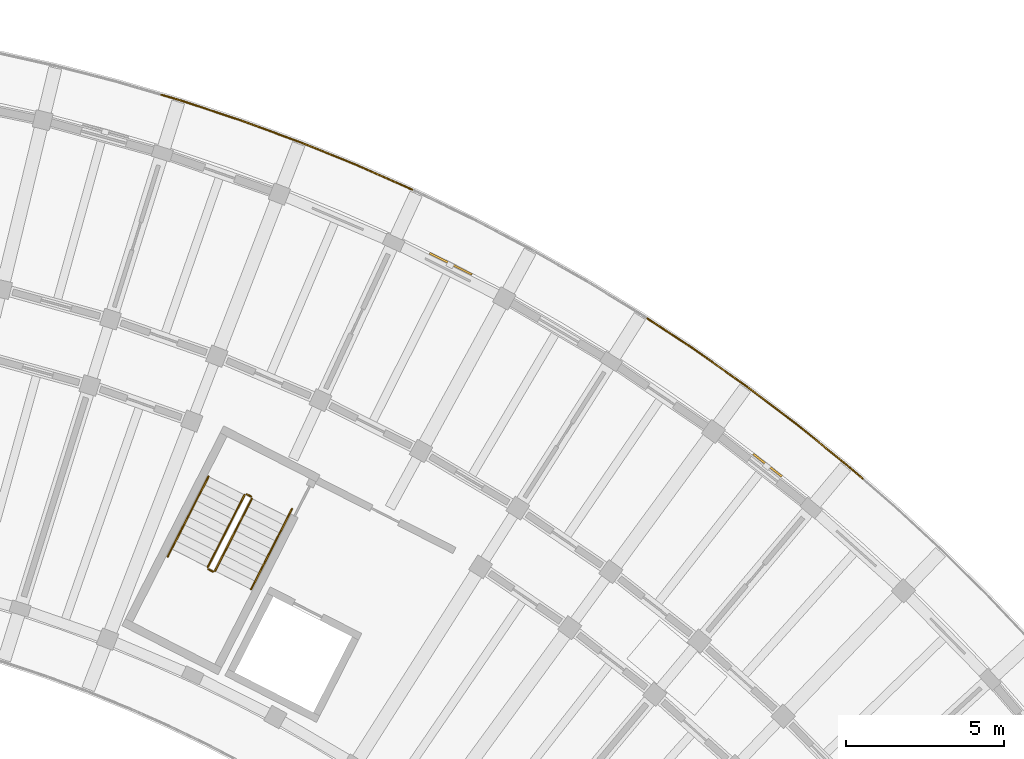
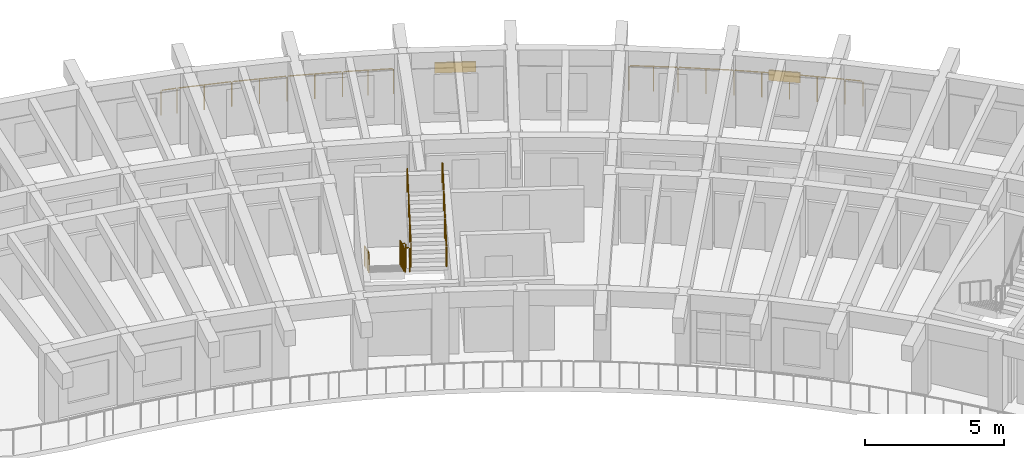
# One storey, part 68 of 69: 12 railings, 2 shading devices.
"""IFC4 building model written with IfcOpenShell, lengths in metres."""

from ifc_helpers import new_model, si_unit, direction, frame, origin, origin_2d, place, context, subcontext, project, spatial, rectangle, circle, extrude, material, layer, layer_set, type_object, element, save


model = new_model("IFC4")

# Units and contexts
model_context = context("Model", 3, precision=1e-05, world=origin(), true_north=direction((0.0, 1.0)))
body_context = subcontext(model_context, "Body", "Model", "MODEL_VIEW")
ifc_project = project(units=[si_unit("LENGTHUNIT", "METRE"), si_unit("AREAUNIT", "SQUARE_METRE"), si_unit("VOLUMEUNIT", "CUBIC_METRE"), si_unit("PLANEANGLEUNIT", "RADIAN"), si_unit("MASSUNIT", "GRAM", prefix="KILO")], contexts=[model_context])

# Site, building, storey
site_placement = place(None, origin())
site = spatial("IfcSite", under=ifc_project, at=site_placement, CompositionType="ELEMENT")
building_placement = place(site_placement, origin())
building = spatial("IfcBuilding", under=site, at=building_placement, Name="Tanwirah Colonnade Gardens", CompositionType="ELEMENT")
storey_placement = place(building_placement, frame((0.0, 0.0, 15.56005859375)))
storey = spatial("IfcBuildingStorey", under=building, at=storey_placement, Name="L04", CompositionType="ELEMENT", Elevation=15.56005859375)

# Railings
ifc_material_1 = material(Name="Precast concrete C40/50", Category="concrete")
railing_type_1 = type_object("IfcRailingType", Name="BAL-EXT112", PredefinedType="BALUSTRADE", material=ifc_material_1)
railing_1_placement = place(storey_placement, frame((138.708984375, 118.89990234375, 0.0)))
element("IfcRailing", 1, at=railing_1_placement, inside=storey, type_object=railing_type_1, Name="Block B L04 Balcony Ribbon Balustrade 12", PredefinedType="BALUSTRADE", context=body_context, shape_type="SweptSolid", body=[
    extrude(circle(Radius=0.02392578125, at=origin_2d()), frame((0.030029296875, -0.0087890625, 1.09619140625), z_axis=(0.959445381797, -0.281894589072, 0.0), x_axis=(0.281894589072, 0.959445381797, 0.0)), (0.0, 0.0, 1.0), 0.521240234375),
    extrude(circle(Radius=0.02392578125, at=origin_2d()), frame((0.58984375, -0.17431640625, 1.09619140625), z_axis=(0.949537316482, -0.313654084317, 0.0), x_axis=(0.313654084317, 0.949537316482, 0.0)), (0.0, 0.0, 1.0), 1.958984375),
    extrude(circle(Radius=0.02392578125, at=origin_2d()), frame((2.5087890625, -0.809326171875, 1.09619140625), z_axis=(0.938723993457, -0.344669789956, 0.0), x_axis=(0.344669789956, 0.938723993457, 0.0)), (0.0, 0.0, 1.0), 1.958984375),
    extrude(circle(Radius=0.02392578125, at=origin_2d()), frame((4.40625, -1.507080078125, 1.09619140625), z_axis=(0.926784720453, -0.375592973757, 0.0), x_axis=(0.375592973757, 0.926784720453, 0.0)), (0.0, 0.0, 1.0), 1.958984375),
    extrude(circle(Radius=0.02392578125, at=origin_2d()), frame((6.279296875, -2.267333984375, 1.09619140625), z_axis=(0.913952853369, -0.405820381227, 0.0), x_axis=(0.405820381227, 0.913952853369, 0.0)), (0.0, 0.0, 1.0), 1.789306640625),
    extrude(circle(Radius=0.02099609375, at=origin_2d()), origin(), (0.0, 0.0, 1.0), 1.069091796875),
    extrude(circle(Radius=0.02099609375, at=origin_2d()), frame((0.56005859375, -0.16455078125, 0.0)), (0.0, 0.0, 1.0), 1.069091796875),
    extrude(circle(Radius=0.02099609375, at=origin_2d()), frame((1.519775390625, -0.4814453125, 0.0)), (0.0, 0.0, 1.0), 1.069091796875),
    extrude(circle(Radius=0.02099609375, at=origin_2d()), frame((2.4794921875, -0.798583984375, 0.0)), (0.0, 0.0, 1.0), 1.069091796875),
    extrude(circle(Radius=0.02099609375, at=origin_2d()), frame((3.42822265625, -1.14697265625, 0.0)), (0.0, 0.0, 1.0), 1.069091796875),
    extrude(circle(Radius=0.02099609375, at=origin_2d()), frame((4.377197265625, -1.495361328125, 0.0)), (0.0, 0.0, 1.0), 1.069091796875),
    extrude(circle(Radius=0.02099609375, at=origin_2d()), frame((5.31396484375, -1.875, 0.0)), (0.0, 0.0, 1.0), 1.069091796875),
    extrude(circle(Radius=0.02099609375, at=origin_2d()), frame((6.250732421875, -2.254638671875, 0.0)), (0.0, 0.0, 1.0), 1.069091796875),
    extrude(circle(Radius=0.02099609375, at=origin_2d()), frame((7.096923828125, -2.63037109375, 0.0)), (0.0, 0.0, 1.0), 1.069091796875),
    extrude(circle(Radius=0.02099609375, at=origin_2d()), frame((7.943115234375, -3.006103515625, 0.0)), (0.0, 0.0, 1.0), 1.069091796875),
])
railing_2_placement = place(storey_placement, frame((154.10107421875, 111.814208984375, 0.0)))
element("IfcRailing", 2, at=railing_2_placement, inside=storey, type_object=railing_type_1, Name="Block B L04 Balcony Ribbon Balustrade 14", PredefinedType="BALUSTRADE", context=body_context, shape_type="SweptSolid", body=[
    extrude(circle(Radius=0.02392578125, at=origin_2d()), frame((0.026123046875, -0.01708984375, 1.09619140625), z_axis=(0.834955335446, -0.550317715334, 0.0), x_axis=(0.550317715334, 0.834955335446, 0.0)), (0.0, 0.0, 1.0), 1.714599609375),
    extrude(circle(Radius=0.02392578125, at=origin_2d()), frame((1.509521484375, -0.99609375, 1.09619140625), z_axis=(0.816344803849, -0.577564854565, 0.0), x_axis=(0.577564854565, 0.816344803849, 0.0)), (0.0, 0.0, 1.0), 1.958740234375),
    extrude(circle(Radius=0.02392578125, at=origin_2d()), frame((3.158935546875, -2.164306640625, 1.09619140625), z_axis=(0.796887753746, -0.604127393792, 0.0), x_axis=(0.604127393792, 0.796887753746, 0.0)), (0.0, 0.0, 1.0), 1.958984375),
    extrude(circle(Radius=0.02392578125, at=origin_2d()), frame((4.76904296875, -3.386474609375, 1.09619140625), z_axis=(0.776549722569, -0.630055972417, 0.0), x_axis=(0.630055972417, 0.776549722569, 0.0)), (0.0, 0.0, 1.0), 1.958984375),
    extrude(circle(Radius=0.02392578125, at=origin_2d()), frame((6.33837890625, -4.660888671875, 1.09619140625), z_axis=(0.755371030703, -0.65529734165, 0.0), x_axis=(0.65529734165, 0.755371030703, 0.0)), (0.0, 0.0, 1.0), 0.59619140625),
    extrude(circle(Radius=0.02099609375, at=origin_2d()), origin(), (0.0, 0.0, 1.0), 1.069091796875),
    extrude(circle(Radius=0.02099609375, at=origin_2d()), frame((0.741943359375, -0.489013671875, 0.0)), (0.0, 0.0, 1.0), 1.069091796875),
    extrude(circle(Radius=0.02099609375, at=origin_2d()), frame((1.48388671875, -0.97802734375, 0.0)), (0.0, 0.0, 1.0), 1.069091796875),
    extrude(circle(Radius=0.02099609375, at=origin_2d()), frame((2.30908203125, -1.561767578125, 0.0)), (0.0, 0.0, 1.0), 1.069091796875),
    extrude(circle(Radius=0.02099609375, at=origin_2d()), frame((3.134033203125, -2.1455078125, 0.0)), (0.0, 0.0, 1.0), 1.069091796875),
    extrude(circle(Radius=0.02099609375, at=origin_2d()), frame((3.939453125, -2.756103515625, 0.0)), (0.0, 0.0, 1.0), 1.069091796875),
    extrude(circle(Radius=0.02099609375, at=origin_2d()), frame((4.744873046875, -3.36669921875, 0.0)), (0.0, 0.0, 1.0), 1.069091796875),
    extrude(circle(Radius=0.02099609375, at=origin_2d()), frame((5.52978515625, -4.00341796875, 0.0)), (0.0, 0.0, 1.0), 1.069091796875),
    extrude(circle(Radius=0.02099609375, at=origin_2d()), frame((6.314697265625, -4.640380859375, 0.0)), (0.0, 0.0, 1.0), 1.069091796875),
    extrude(circle(Radius=0.02099609375, at=origin_2d()), frame((6.812255859375, -5.072021484375, 0.0)), (0.0, 0.0, 1.0), 1.069091796875),
])
ifc_material_2 = material(Name="Powder-coated galvanized steel", Category="steel")
railing_type_2 = type_object("IfcRailingType", Name="GRD-ST110", PredefinedType="GUARDRAIL", material=ifc_material_2)
railing_3_placement = place(storey_placement, frame((141.344970703125, 106.230712890625, 0.16796875)))
element("IfcRailing", 3, at=railing_3_placement, inside=storey, type_object=railing_type_2, Name="L04 ST-B2 stair guard 1", PredefinedType="GUARDRAIL", context=body_context, shape_type="SweptSolid", body=[
    extrude(circle(Radius=0.02392578125, at=origin_2d()), frame((-0.01220703125, -0.02392578125, 1.092041015625), z_axis=(-0.3911222872, -0.767567239095, 0.507803003067), x_axis=(0.890993730975, -0.45401560696, 0.0)), (0.0, 0.0, 1.0), 2.9150390625),
    extrude(circle(Radius=0.02099609375, at=origin_2d()), origin(), (0.0, 0.0, 1.0), 1.049072265625),
    extrude(circle(Radius=0.02099609375, at=origin_2d()), frame((-0.38818359375, -0.76171875, 0.50390625)), (0.0, 0.0, 1.0), 1.049072265625),
    extrude(circle(Radius=0.02099609375, at=origin_2d()), frame((-0.7763671875, -1.523681640625, 1.008056640625)), (0.0, 0.0, 1.0), 1.049072265625),
    extrude(circle(Radius=0.02099609375, at=origin_2d()), frame((-1.16455078125, -2.285400390625, 1.511962890625)), (0.0, 0.0, 1.0), 1.049072265625),
])
railing_4_placement = place(storey_placement, frame((140.202392578125, 103.8779296875, 1.679931640625)))
element("IfcRailing", 4, at=railing_4_placement, inside=storey, type_object=railing_type_2, Name="L04 ST-B2 stair guard 2", PredefinedType="GUARDRAIL", context=body_context, shape_type="SweptSolid", body=[
    extrude(circle(Radius=0.02392578125, at=origin_2d()), frame((0.02783203125, -0.01416015625, 1.076171875), z_axis=(0.891353773095, -0.453308340084, 0.0), x_axis=(0.453308340084, 0.891353773095, 0.0)), (0.0, 0.0, 1.0), 0.097412109375),
    extrude(circle(Radius=0.02099609375, at=origin_2d()), origin(), (0.0, 0.0, 1.0), 1.049072265625),
    extrude(circle(Radius=0.02099609375, at=origin_2d()), frame((0.142578125, -0.072509765625, 0.0)), (0.0, 0.0, 1.0), 1.049072265625),
])
railing_5_placement = place(storey_placement, frame((140.412109375, 103.8271484375, 1.847900390625)))
element("IfcRailing", 5, at=railing_5_placement, inside=storey, type_object=railing_type_2, Name="L04 ST-B2 stair guard 3", PredefinedType="GUARDRAIL", context=body_context, shape_type="SweptSolid", body=[
    extrude(circle(Radius=0.02392578125, at=origin_2d()), frame((0.01220703125, 0.02392578125, 1.092041015625), z_axis=(0.3911222872, 0.767567239095, 0.507803003067), x_axis=(-0.890993730975, 0.45401560696, 0.0)), (0.0, 0.0, 1.0), 2.9150390625),
    extrude(circle(Radius=0.02099609375, at=origin_2d()), origin(), (0.0, 0.0, 1.0), 1.049072265625),
    extrude(circle(Radius=0.02099609375, at=origin_2d()), frame((0.38818359375, 0.76171875, 0.50390625)), (0.0, 0.0, 1.0), 1.049072265625),
    extrude(circle(Radius=0.02099609375, at=origin_2d()), frame((0.7763671875, 1.523681640625, 1.008056640625)), (0.0, 0.0, 1.0), 1.049072265625),
    extrude(circle(Radius=0.02099609375, at=origin_2d()), frame((1.16455078125, 2.285400390625, 1.511962890625)), (0.0, 0.0, 1.0), 1.049072265625),
])
railing_6_placement = place(storey_placement, frame((141.412109375, 106.25244140625, 0.0)))
element("IfcRailing", 6, at=railing_6_placement, inside=storey, type_object=railing_type_2, Name="L04 ST-B2 stair guard 4", PredefinedType="GUARDRAIL", context=body_context, shape_type="SweptSolid", body=[
    extrude(circle(Radius=0.02392578125, at=origin_2d()), frame((0.02783203125, -0.01416015625, 1.076171875), z_axis=(0.891353773095, -0.453308340084, 0.0), x_axis=(0.453308340084, 0.891353773095, 0.0)), (0.0, 0.0, 1.0), 0.097412109375),
    extrude(circle(Radius=0.02099609375, at=origin_2d()), origin(), (0.0, 0.0, 1.0), 1.049072265625),
    extrude(circle(Radius=0.02099609375, at=origin_2d()), frame((0.142578125, -0.072509765625, 0.0)), (0.0, 0.0, 1.0), 1.049072265625),
])
ifc_material_3 = material(Name="Brushed bronze stainless steel", Category="steel")
railing_type_3 = type_object("IfcRailingType", Name="HR-ST090", PredefinedType="HANDRAIL", material=ifc_material_3)
railing_7_placement = place(storey_placement, frame((140.204345703125, 106.811767578125, 0.16796875)))
element("IfcRailing", 7, at=railing_7_placement, inside=storey, type_object=railing_type_3, Name="L04 ST-B2 stair handrail 1", PredefinedType="HANDRAIL", context=body_context, shape_type="SweptSolid", body=[
    extrude(circle(Radius=0.02392578125, at=origin_2d()), frame((-0.01220703125, -0.02392578125, 0.891845703125), z_axis=(-0.38993033558, -0.765508761867, 0.511811165275), x_axis=(0.891061070925, -0.453883429839, 0.0)), (0.0, 0.0, 1.0), 1.043212890625),
    extrude(circle(Radius=0.02099609375, at=origin_2d()), origin(), (0.0, 0.0, 1.0), 0.848876953125),
    extrude(circle(Radius=0.02099609375, at=origin_2d()), frame((-0.43115234375, -0.846435546875, 0.56591796875)), (0.0, 0.0, 1.0), 0.848876953125),
])
railing_8_placement = place(storey_placement, frame((139.773193359375, 105.96533203125, 0.73388671875)))
element("IfcRailing", 8, at=railing_8_placement, inside=storey, type_object=railing_type_3, Name="L04 ST-B2 stair handrail 2", PredefinedType="HANDRAIL", context=body_context, shape_type="SweptSolid", body=[
    extrude(circle(Radius=0.02392578125, at=origin_2d()), frame((-0.01220703125, -0.02392578125, 0.891845703125), z_axis=(-0.390073458003, -0.765356354779, 0.511930022133), x_axis=(0.890957114254, -0.454087459154, 0.0)), (0.0, 0.0, 1.0), 1.04345703125),
    extrude(circle(Radius=0.02099609375, at=origin_2d()), origin(), (0.0, 0.0, 1.0), 0.848876953125),
    extrude(circle(Radius=0.02099609375, at=origin_2d()), frame((-0.431396484375, -0.846435546875, 0.566162109375)), (0.0, 0.0, 1.0), 0.848876953125),
])
railing_9_placement = place(storey_placement, frame((139.341796875, 105.118896484375, 1.300048828125)))
element("IfcRailing", 9, at=railing_9_placement, inside=storey, type_object=railing_type_3, Name="L04 ST-B2 stair handrail 3", PredefinedType="HANDRAIL", context=body_context, shape_type="SweptSolid", body=[
    extrude(circle(Radius=0.02392578125, at=origin_2d()), frame((-0.01220703125, -0.02392578125, 0.891845703125), z_axis=(-0.38993033558, -0.765508761867, 0.511811165275), x_axis=(0.891061070925, -0.453883429839, 0.0)), (0.0, 0.0, 1.0), 1.043212890625),
    extrude(circle(Radius=0.02099609375, at=origin_2d()), origin(), (0.0, 0.0, 1.0), 0.848876953125),
    extrude(circle(Radius=0.02099609375, at=origin_2d()), frame((-0.43115234375, -0.846435546875, 0.56591796875)), (0.0, 0.0, 1.0), 0.848876953125),
])
railing_10_placement = place(storey_placement, frame((141.552490234375, 103.24609375, 1.847900390625)))
element("IfcRailing", 10, at=railing_10_placement, inside=storey, type_object=railing_type_3, Name="L04 ST-B2 stair handrail 4", PredefinedType="HANDRAIL", context=body_context, shape_type="SweptSolid", body=[
    extrude(circle(Radius=0.02392578125, at=origin_2d()), frame((0.01220703125, 0.02392578125, 0.891845703125), z_axis=(0.390073458003, 0.765356354779, 0.511930022133), x_axis=(-0.890957114254, 0.454087459154, 0.0)), (0.0, 0.0, 1.0), 1.04345703125),
    extrude(circle(Radius=0.02099609375, at=origin_2d()), origin(), (0.0, 0.0, 1.0), 0.848876953125),
    extrude(circle(Radius=0.02099609375, at=origin_2d()), frame((0.431396484375, 0.846435546875, 0.566162109375)), (0.0, 0.0, 1.0), 0.848876953125),
])
railing_11_placement = place(storey_placement, frame((141.98388671875, 104.092529296875, 2.4140625)))
element("IfcRailing", 11, at=railing_11_placement, inside=storey, type_object=railing_type_3, Name="L04 ST-B2 stair handrail 5", PredefinedType="HANDRAIL", context=body_context, shape_type="SweptSolid", body=[
    extrude(circle(Radius=0.02392578125, at=origin_2d()), frame((0.01220703125, 0.02392578125, 0.891845703125), z_axis=(0.390117538533, 0.765442844423, 0.51176709356), x_axis=(-0.890957114254, 0.454087459154, 0.0)), (0.0, 0.0, 1.0), 1.043212890625),
    extrude(circle(Radius=0.02099609375, at=origin_2d()), origin(), (0.0, 0.0, 1.0), 0.848876953125),
    extrude(circle(Radius=0.02099609375, at=origin_2d()), frame((0.431396484375, 0.846435546875, 0.56591796875)), (0.0, 0.0, 1.0), 0.848876953125),
])
railing_12_placement = place(storey_placement, frame((142.415283203125, 104.93896484375, 2.97998046875)))
element("IfcRailing", 12, at=railing_12_placement, inside=storey, type_object=railing_type_3, Name="L04 ST-B2 stair handrail 6", PredefinedType="HANDRAIL", context=body_context, shape_type="SweptSolid", body=[
    extrude(circle(Radius=0.02392578125, at=origin_2d()), frame((0.01220703125, 0.02392578125, 0.891845703125), z_axis=(0.38993033558, 0.765508761867, 0.511811165275), x_axis=(-0.891061070925, 0.453883429839, 0.0)), (0.0, 0.0, 1.0), 1.043212890625),
    extrude(circle(Radius=0.02099609375, at=origin_2d()), origin(), (0.0, 0.0, 1.0), 0.848876953125),
    extrude(circle(Radius=0.02099609375, at=origin_2d()), frame((0.43115234375, 0.846435546875, 0.56591796875)), (0.0, 0.0, 1.0), 0.848876953125),
])

# Shading devices
ifc_material_4 = material(Name="Perforated architectural bronze aluminium", Category="aluminium")
ifc_layer = layer(ifc_material_4, 0.050048828125)
ifc_layer_set = layer_set([ifc_layer], Name="Perforated architectural bronze aluminium")
shading_device_type = type_object("IfcShadingDeviceType", Name="SHD-OVH1", PredefinedType="SHUTTER", material=ifc_layer_set)
shading_device_1_placement = place(storey_placement, frame((157.899658203125, 107.17236328125, 1.884765625), z_axis=(0.0, 0.0, 1.0), x_axis=(-0.786816013383, 0.617187622271, 0.0)))
element("IfcShadingDevice", 13, at=shading_device_1_placement, inside=storey, type_object=shading_device_type, Name="Solar shading louver hood B-L04-09", PredefinedType="SHUTTER", context=body_context, shape_type="SweptSolid", body=[
    extrude(rectangle(XDim=1.14990234375, YDim=0.06005859375, at=origin_2d()), origin(), (0.0, 0.0, 1.0), 0.449951171875),
])
shading_device_2_placement = place(storey_placement, frame((147.87353515625, 113.546142578125, 1.93505859375), z_axis=(0.0, 0.0, 1.0), x_axis=(-0.892759988233, 0.450532577524, 0.0)))
element("IfcShadingDevice", 14, at=shading_device_2_placement, inside=storey, type_object=shading_device_type, Name="Solar shading louver hood B-L04-12", PredefinedType="SHUTTER", context=body_context, shape_type="SweptSolid", body=[
    extrude(rectangle(XDim=1.5, YDim=0.06005859375, at=origin_2d()), origin(), (0.0, 0.0, 1.0), 0.449951171875),
])

save(model, "model.ifc")
